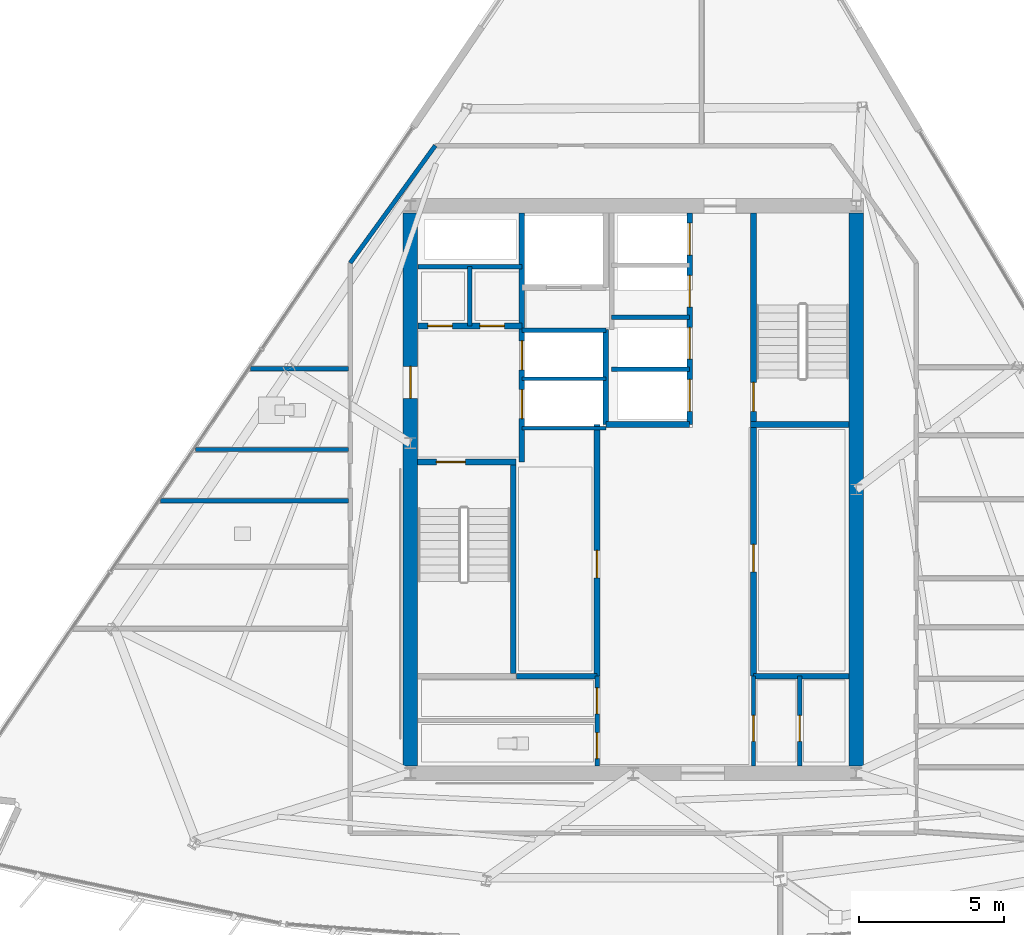
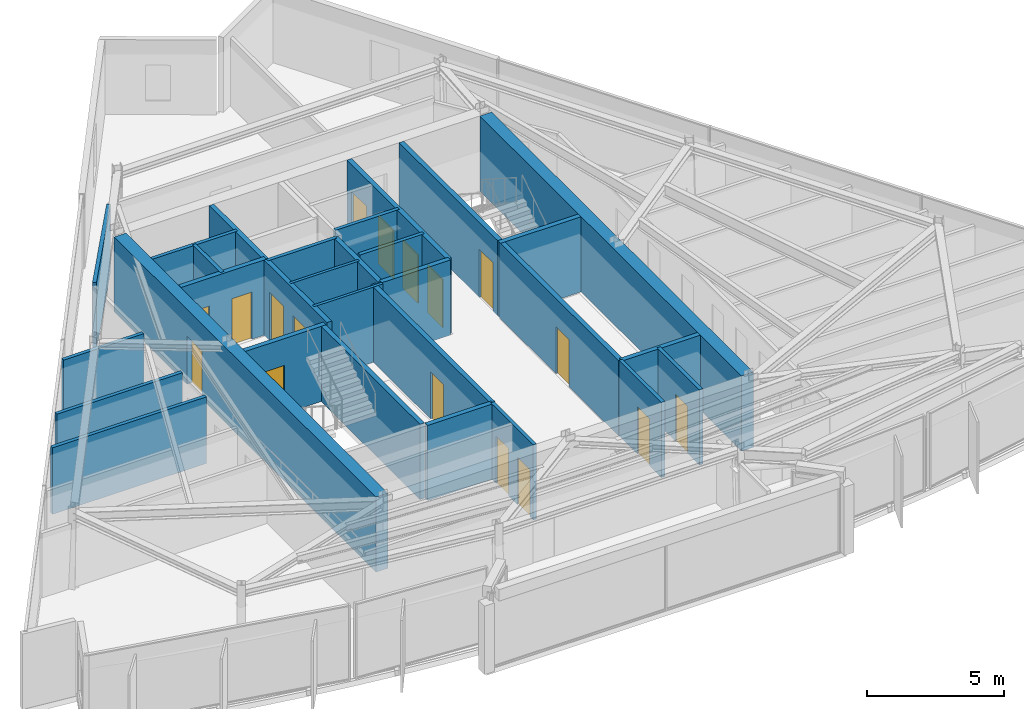
# One storey, part 7 of 13: 29 walls, 17 doors, 17 openings.
"""IFC4 building model written with IfcOpenShell, lengths in metres."""

from ifc_helpers import new_model, si_unit, direction, frame, frame_2d, origin, place, context, subcontext, project, spatial, rectangle, extrude, material, layer, layer_set, type_object, element, fill, save


model = new_model("IFC4")

# Units and contexts
model_context = context("Model", 3, precision=1e-05, world=origin(), true_north=direction((0.0, 1.0)))
body_context = subcontext(model_context, "Body", "Model", "MODEL_VIEW")
ifc_project = project(units=[si_unit("LENGTHUNIT", "METRE"), si_unit("AREAUNIT", "SQUARE_METRE"), si_unit("VOLUMEUNIT", "CUBIC_METRE"), si_unit("PLANEANGLEUNIT", "RADIAN"), si_unit("MASSUNIT", "GRAM", prefix="KILO")], contexts=[model_context])

# Site, building, storey
site_placement = place(None, origin())
site = spatial("IfcSite", under=ifc_project, at=site_placement, CompositionType="ELEMENT")
building_placement = place(site_placement, origin())
building = spatial("IfcBuilding", under=site, at=building_placement, Name="Savorim Split Tower", CompositionType="ELEMENT")
storey_placement = place(building_placement, frame((0.0, 0.0, 286.800048828125)))
storey = spatial("IfcBuildingStorey", under=building, at=storey_placement, Name="L76", CompositionType="ELEMENT", Elevation=286.800048828125)

# Wall, opening, door
ifc_material_1 = material(Name="Concrete C60/75", Category="concrete")
ifc_layer_1 = layer(ifc_material_1, 0.5)
ifc_layer_set_1 = layer_set([ifc_layer_1], Name="WAL-COR-SH500")
wall_type_1 = type_object("IfcWallType", Name="WAL-COR-SH500", PredefinedType="SHEAR", material=ifc_layer_set_1)
wall_1_placement = place(storey_placement, frame((-7.699951171875, -9.14990234375, 0.0), z_axis=(0.0, 0.0, 1.0), x_axis=(0.0, 1.0, 0.0)))
wall_1 = element("IfcWall", 1, at=wall_1_placement, inside=storey, type_object=wall_type_1, Name="L76 Offset Core West Shear Wall", PredefinedType="SHEAR", context=body_context, shape_type="SweptSolid", body=[
    extrude(rectangle(XDim=19.099853515625, YDim=0.5, at=frame_2d((9.5498046875, 0.0))), origin(), (0.0, 0.0, 1.0), 3.349853515625),
])
opening_1_placement = place(wall_1_placement, frame((12.699951171875, 0.0, 0.0)))
opening_1 = element("IfcOpeningElement", 2, at=opening_1_placement, cuts=wall_1, Name="Opening DI-03", PredefinedType="OPENING", context=body_context, shape_type="SweptSolid", body=[
    extrude(rectangle(XDim=1.10009765625, YDim=2.14990234375, at=frame_2d((0.550048828125, 1.074951171875))), frame((0.0, 0.260009765625, 0.0), z_axis=(0.0, -1.0, 0.0), x_axis=(1.0, 0.0, 0.0)), (0.0, 0.0, 1.0), 0.52001953125),
])
ifc_material_2 = material(Name="Timber Fire Door Leaf", Category="wood")
door_type_1 = type_object("IfcDoorType", Name="DOR-FIR-1100", OperationType="NOTDEFINED", PredefinedType="DOOR", material=ifc_material_2)
door_1_placement = place(opening_1_placement, origin())
door_1 = element("IfcDoor", 3, at=door_1_placement, inside=storey, type_object=door_type_1, Name="DOR-L76-COR-FFLOB - L76 Firefighting Lobby Corridor Door", OperationType="SINGLE_SWING_RIGHT", OverallHeight=2.14990234375, OverallWidth=1.10009765625, PredefinedType="DOOR", context=body_context, shape_type="SweptSolid", body=[
    extrude(rectangle(XDim=1.10009765625, YDim=2.14990234375, at=frame_2d((0.550048828125, 1.074951171875))), frame((0.0, 0.02490234375, 0.0), z_axis=(0.0, -1.0, 0.0), x_axis=(1.0, 0.0, 0.0)), (0.0, 0.0, 1.0), 0.050048828125),
])
fill(opening_1, door_1)

# Wall
wall_2_placement = place(storey_placement, frame((7.699951171875, 9.949951171875, 0.0), z_axis=(0.0, 0.0, 1.0), x_axis=(0.0, -1.0, 0.0)))
element("IfcWall", 4, at=wall_2_placement, inside=storey, type_object=wall_type_1, Name="L76 Offset Core East Shear Wall", PredefinedType="SHEAR", context=body_context, shape_type="SweptSolid", body=[
    extrude(rectangle(XDim=19.099853515625, YDim=0.5, at=frame_2d((9.5498046875, 0.0))), origin(), (0.0, 0.0, 1.0), 3.349853515625),
])

# Wall, opening, door
ifc_material_3 = material(Name="Concrete C50/60", Category="concrete")
ifc_layer_2 = layer(ifc_material_3, 0.199951171875)
ifc_layer_set_2 = layer_set([ifc_layer_2], Name="WAL-INT-RC200")
wall_type_2 = type_object("IfcWallType", Name="WAL-INT-RC200", PredefinedType="SOLIDWALL", material=ifc_layer_set_2)
wall_3_placement = place(storey_placement, frame((-7.449951171875, 1.35009765625, 0.0), z_axis=(0.0, 0.0, 1.0), x_axis=(1.0, 0.0, 0.0)))
wall_3 = element("IfcWall", 5, at=wall_3_placement, inside=storey, type_object=wall_type_2, Name="L76 Structural Shaft Wall W-L76-CR01", PredefinedType="SOLIDWALL", context=body_context, shape_type="SweptSolid", body=[
    extrude(rectangle(XDim=3.39990234375, YDim=0.199951171875, at=frame_2d((1.699951171875, 0.0))), origin(), (0.0, 0.0, 1.0), 3.349853515625),
])
opening_2_placement = place(wall_3_placement, frame((0.64990234375, 0.0, 0.0)))
opening_2 = element("IfcOpeningElement", 6, at=opening_2_placement, cuts=wall_3, Name="Opening DI-04", PredefinedType="OPENING", context=body_context, shape_type="SweptSolid", body=[
    extrude(rectangle(XDim=1.0, YDim=2.14990234375, at=frame_2d((0.5, 1.074951171875))), frame((0.0, 0.10986328125, 0.0), z_axis=(0.0, -1.0, 0.0), x_axis=(1.0, 0.0, 0.0)), (0.0, 0.0, 1.0), 0.219970703125),
])
door_type_2 = type_object("IfcDoorType", Name="DOR-FIR-1000", OperationType="NOTDEFINED", PredefinedType="DOOR", material=ifc_material_2)
door_2_placement = place(opening_2_placement, origin())
door_2 = element("IfcDoor", 7, at=door_2_placement, inside=storey, type_object=door_type_2, Name="DR-L76-ST1 - L76 Stair ST-1 Enclosure Door", OperationType="SINGLE_SWING_LEFT", OverallHeight=2.14990234375, OverallWidth=1.0, PredefinedType="DOOR", context=body_context, shape_type="SweptSolid", body=[
    extrude(rectangle(XDim=1.0, YDim=2.14990234375, at=frame_2d((0.5, 1.074951171875))), frame((0.0, 0.02490234375, 0.0), z_axis=(0.0, -1.0, 0.0), x_axis=(1.0, 0.0, 0.0)), (0.0, 0.0, 1.0), 0.050048828125),
])
fill(opening_2, door_2)

# Wall
wall_4_placement = place(storey_placement, frame((-4.14990234375, -5.949951171875, 0.0), z_axis=(0.0, 0.0, 1.0), x_axis=(0.0, 1.0, 0.0)))
element("IfcWall", 8, at=wall_4_placement, inside=storey, type_object=wall_type_2, Name="L76 Structural Shaft Wall W-L76-CR02", PredefinedType="SOLIDWALL", context=body_context, shape_type="SweptSolid", body=[
    extrude(rectangle(XDim=7.199951171875, YDim=0.199951171875, at=frame_2d((3.60009765625, 0.0))), origin(), (0.0, 0.0, 1.0), 3.349853515625),
])

# Wall, openings, doors
wall_5_placement = place(storey_placement, frame((-3.85009765625, 1.35009765625, 0.0), z_axis=(0.0, 0.0, 1.0), x_axis=(0.0, 1.0, 0.0)))
wall_5 = element("IfcWall", 9, at=wall_5_placement, inside=storey, type_object=wall_type_2, Name="L76 Partition W-L76-CR03", PredefinedType="SOLIDWALL", context=body_context, shape_type="SweptSolid", body=[
    extrude(rectangle(XDim=8.594970703125, YDim=0.199951171875, at=frame_2d((4.29736328125, 0.0))), origin(), (0.0, 0.0, 1.0), 3.349853515625),
])
opening_3_placement = place(wall_5_placement, frame((1.5, 0.0, 0.0)))
opening_3 = element("IfcOpeningElement", 10, at=opening_3_placement, cuts=wall_5, Name="Opening LD-FFL", PredefinedType="OPENING", context=body_context, shape_type="SweptSolid", body=[
    extrude(rectangle(XDim=1.0, YDim=2.14990234375, at=frame_2d((0.5, 1.074951171875))), frame((0.0, 0.10986328125, 0.0), z_axis=(0.0, -1.0, 0.0), x_axis=(1.0, 0.0, 0.0)), (0.0, 0.0, 1.0), 0.219970703125),
])
opening_4_placement = place(wall_5_placement, frame((3.179931640625, 0.0, 0.0)))
opening_4 = element("IfcOpeningElement", 11, at=opening_4_placement, cuts=wall_5, Name="Opening LD-FFL", PredefinedType="OPENING", context=body_context, shape_type="SweptSolid", body=[
    extrude(rectangle(XDim=1.0, YDim=2.14990234375, at=frame_2d((0.5, 1.074951171875))), frame((0.0, 0.10986328125, 0.0), z_axis=(0.0, -1.0, 0.0), x_axis=(1.0, 0.0, 0.0)), (0.0, 0.0, 1.0), 0.219970703125),
])
ifc_material_4 = material(Name="Charcoal Anodised Aluminium", Category="aluminium")
door_type_3 = type_object("IfcDoorType", Name="DOR-SLD-LD1000", OperationType="NOTDEFINED", PredefinedType="DOOR", material=ifc_material_4)
door_3_placement = place(opening_3_placement, origin())
door_3 = element("IfcDoor", 12, at=door_3_placement, inside=storey, type_object=door_type_3, Name="DR-L76-LD-FFL1 - L76 Firefighting Lift FFL-1 Sliding Landing Door", OperationType="DOUBLE_DOOR_SLIDING", OverallHeight=2.14990234375, OverallWidth=1.0, PredefinedType="DOOR", context=body_context, shape_type="SweptSolid", body=[
    extrude(rectangle(XDim=1.0, YDim=2.14990234375, at=frame_2d((0.5, 1.074951171875))), frame((0.0, 0.02490234375, 0.0), z_axis=(0.0, -1.0, 0.0), x_axis=(1.0, 0.0, 0.0)), (0.0, 0.0, 1.0), 0.050048828125),
])
fill(opening_3, door_3)
door_4_placement = place(opening_4_placement, origin())
door_4 = element("IfcDoor", 13, at=door_4_placement, inside=storey, type_object=door_type_3, Name="DR-L76-LD-FFL2 - L76 Firefighting Lift FFL-2 Sliding Landing Door", OperationType="DOUBLE_DOOR_SLIDING", OverallHeight=2.14990234375, OverallWidth=1.0, PredefinedType="DOOR", context=body_context, shape_type="SweptSolid", body=[
    extrude(rectangle(XDim=1.0, YDim=2.14990234375, at=frame_2d((0.5, 1.074951171875))), frame((0.0, 0.02490234375, 0.0), z_axis=(0.0, -1.0, 0.0), x_axis=(1.0, 0.0, 0.0)), (0.0, 0.0, 1.0), 0.050048828125),
])
fill(opening_4, door_4)

wall_6_placement = place(storey_placement, frame((-7.445068359375, 6.050048828125, 0.0), z_axis=(0.0, 0.0, 1.0), x_axis=(1.0, 0.0, 0.0)))
wall_6 = element("IfcWall", 14, at=wall_6_placement, inside=storey, type_object=wall_type_2, Name="L76 Partition W-L76-CR04", PredefinedType="SOLIDWALL", context=body_context, shape_type="SweptSolid", body=[
    extrude(rectangle(XDim=3.594970703125, YDim=0.199951171875, at=frame_2d((1.79736328125, 0.0))), origin(), (0.0, 0.0, 1.0), 3.349853515625),
])
opening_5_placement = place(wall_6_placement, frame((0.344970703125, 0.0, 0.0)))
opening_5 = element("IfcOpeningElement", 15, at=opening_5_placement, cuts=wall_6, Name="Opening DI-12", PredefinedType="OPENING", context=body_context, shape_type="SweptSolid", body=[
    extrude(rectangle(XDim=0.85009765625, YDim=2.10009765625, at=frame_2d((0.425048828125, 1.050048828125))), frame((0.0, 0.10986328125, 0.0), z_axis=(0.0, -1.0, 0.0), x_axis=(1.0, 0.0, 0.0)), (0.0, 0.0, 1.0), 0.219970703125),
])
opening_6_placement = place(wall_6_placement, frame((2.14501953125, 0.0, 0.0)))
opening_6 = element("IfcOpeningElement", 16, at=opening_6_placement, cuts=wall_6, Name="Opening DI-12", PredefinedType="OPENING", context=body_context, shape_type="SweptSolid", body=[
    extrude(rectangle(XDim=0.85009765625, YDim=2.10009765625, at=frame_2d((0.425048828125, 1.050048828125))), frame((0.0, 0.10986328125, 0.0), z_axis=(0.0, -1.0, 0.0), x_axis=(1.0, 0.0, 0.0)), (0.0, 0.0, 1.0), 0.219970703125),
])
ifc_material_5 = material(Name="Galvanised Painted Steel Balustrade", Category="steel")
door_type_4 = type_object("IfcDoorType", Name="DOR-RIS-850", OperationType="NOTDEFINED", PredefinedType="DOOR", material=ifc_material_5)
door_5_placement = place(opening_5_placement, origin())
door_5 = element("IfcDoor", 17, at=door_5_placement, inside=storey, type_object=door_type_4, Name="DR-L76-ELR - L76 Electrical Riser Access Door", OperationType="SINGLE_SWING_RIGHT", OverallHeight=2.10009765625, OverallWidth=0.85009765625, PredefinedType="DOOR", context=body_context, shape_type="SweptSolid", body=[
    extrude(rectangle(XDim=0.85009765625, YDim=2.10009765625, at=frame_2d((0.425048828125, 1.050048828125))), frame((0.0, 0.02490234375, 0.0), z_axis=(0.0, -1.0, 0.0), x_axis=(1.0, 0.0, 0.0)), (0.0, 0.0, 1.0), 0.050048828125),
])
fill(opening_5, door_5)
door_6_placement = place(opening_6_placement, origin())
door_6 = element("IfcDoor", 18, at=door_6_placement, inside=storey, type_object=door_type_4, Name="DR-L76-TLR - L76 Telecom Riser Access Door", OperationType="SINGLE_SWING_LEFT", OverallHeight=2.10009765625, OverallWidth=0.85009765625, PredefinedType="DOOR", context=body_context, shape_type="SweptSolid", body=[
    extrude(rectangle(XDim=0.85009765625, YDim=2.10009765625, at=frame_2d((0.425048828125, 1.050048828125))), frame((0.0, 0.02490234375, 0.0), z_axis=(0.0, -1.0, 0.0), x_axis=(1.0, 0.0, 0.0)), (0.0, 0.0, 1.0), 0.050048828125),
])
fill(opening_6, door_6)

# Wall, opening, door
wall_7_placement = place(storey_placement, frame((4.14990234375, 2.75, 0.0), z_axis=(0.0, 0.0, 1.0), x_axis=(0.0, 1.0, 0.0)))
wall_7 = element("IfcWall", 19, at=wall_7_placement, inside=storey, type_object=wall_type_2, Name="L76 Structural Shaft Wall W-L76-CR07", PredefinedType="SOLIDWALL", context=body_context, shape_type="SweptSolid", body=[
    extrude(rectangle(XDim=7.199951171875, YDim=0.199951171875, at=frame_2d((3.60009765625, 0.0))), origin(), (0.0, 0.0, 1.0), 3.349853515625),
])
opening_7_placement = place(wall_7_placement, frame((0.35009765625, 0.0, 0.0)))
opening_7 = element("IfcOpeningElement", 20, at=opening_7_placement, cuts=wall_7, Name="Opening DI-04", PredefinedType="OPENING", context=body_context, shape_type="SweptSolid", body=[
    extrude(rectangle(XDim=1.0, YDim=2.14990234375, at=frame_2d((0.5, 1.074951171875))), frame((0.0, 0.10986328125, 0.0), z_axis=(0.0, -1.0, 0.0), x_axis=(1.0, 0.0, 0.0)), (0.0, 0.0, 1.0), 0.219970703125),
])
door_7_placement = place(opening_7_placement, origin())
door_7 = element("IfcDoor", 21, at=door_7_placement, inside=storey, type_object=door_type_2, Name="DR-L76-ST2 - L76 Stair ST-2 Enclosure Door", OperationType="SINGLE_SWING_RIGHT", OverallHeight=2.14990234375, OverallWidth=1.0, PredefinedType="DOOR", context=body_context, shape_type="SweptSolid", body=[
    extrude(rectangle(XDim=1.0, YDim=2.14990234375, at=frame_2d((0.5, 1.074951171875))), frame((0.0, 0.02490234375, 0.0), z_axis=(0.0, -1.0, 0.0), x_axis=(1.0, 0.0, 0.0)), (0.0, 0.0, 1.0), 0.050048828125),
])
fill(opening_7, door_7)

# Walls
wall_8_placement = place(storey_placement, frame((4.050048828125, 2.64990234375, 0.0), z_axis=(0.0, 0.0, 1.0), x_axis=(1.0, 0.0, 0.0)))
element("IfcWall", 22, at=wall_8_placement, inside=storey, type_object=wall_type_2, Name="L76 Structural Shaft Wall W-L76-CR08", PredefinedType="SOLIDWALL", context=body_context, shape_type="SweptSolid", body=[
    extrude(rectangle(XDim=3.39990234375, YDim=0.199951171875, at=frame_2d((1.699951171875, 0.0))), origin(), (0.0, 0.0, 1.0), 3.349853515625),
])
wall_9_placement = place(storey_placement, frame((-0.949951171875, 2.64990234375, 0.0), z_axis=(0.0, 0.0, 1.0), x_axis=(0.0, 1.0, 0.0)))
element("IfcWall", 23, at=wall_9_placement, inside=storey, type_object=wall_type_2, Name="L76 Partition W-L76-FFLW", PredefinedType="SOLIDWALL", context=body_context, shape_type="SweptSolid", body=[
    extrude(rectangle(XDim=3.27001953125, YDim=0.199951171875, at=frame_2d((1.635009765625, 0.0))), origin(), (0.0, 0.0, 1.0), 3.349853515625),
])

# Wall, opening, door
wall_10_placement = place(storey_placement, frame((4.14990234375, -6.050048828125, 0.0), z_axis=(0.0, 0.0, 1.0), x_axis=(0.0, 1.0, 0.0)))
wall_10 = element("IfcWall", 24, at=wall_10_placement, inside=storey, type_object=wall_type_2, Name="L76 Partition W-L76-B1FRONT", PredefinedType="SOLIDWALL", context=body_context, shape_type="SweptSolid", body=[
    extrude(rectangle(XDim=8.699951171875, YDim=0.199951171875, at=frame_2d((4.35009765625, 0.0))), origin(), (0.0, 0.0, 1.0), 3.349853515625),
])
opening_8_placement = place(wall_10_placement, frame((3.60009765625, 0.0, 0.0)))
opening_8 = element("IfcOpeningElement", 25, at=opening_8_placement, cuts=wall_10, Name="Opening DI-05", PredefinedType="OPENING", context=body_context, shape_type="SweptSolid", body=[
    extrude(rectangle(XDim=0.949951171875, YDim=2.10009765625, at=frame_2d((0.47509765625, 1.050048828125))), frame((0.0, 0.10986328125, 0.0), z_axis=(0.0, -1.0, 0.0), x_axis=(1.0, 0.0, 0.0)), (0.0, 0.0, 1.0), 0.219970703125),
])
door_type_5 = type_object("IfcDoorType", Name="DOR-FIR-950", OperationType="NOTDEFINED", PredefinedType="DOOR", material=ifc_material_2)
door_8_placement = place(opening_8_placement, origin())
door_8 = element("IfcDoor", 26, at=door_8_placement, inside=storey, type_object=door_type_5, Name="DR-L76-LV7B1 - L76 Shared Pantry and Linen Room Door", OperationType="SINGLE_SWING_RIGHT", OverallHeight=2.10009765625, OverallWidth=0.949951171875, PredefinedType="DOOR", context=body_context, shape_type="SweptSolid", body=[
    extrude(rectangle(XDim=0.949951171875, YDim=2.10009765625, at=frame_2d((0.47509765625, 1.050048828125))), frame((0.0, 0.02490234375, 0.0), z_axis=(0.0, -1.0, 0.0), x_axis=(1.0, 0.0, 0.0)), (0.0, 0.0, 1.0), 0.050048828125),
])
fill(opening_8, door_8)

wall_11_placement = place(storey_placement, frame((-1.25, -6.050048828125, 0.0), z_axis=(0.0, 0.0, 1.0), x_axis=(0.0, 1.0, 0.0)))
wall_11 = element("IfcWall", 27, at=wall_11_placement, inside=storey, type_object=wall_type_2, Name="L76 Partition W-L76-B2FRONT", PredefinedType="SOLIDWALL", context=body_context, shape_type="SweptSolid", body=[
    extrude(rectangle(XDim=8.699951171875, YDim=0.199951171875, at=frame_2d((4.35009765625, 0.0))), origin(), (0.0, 0.0, 1.0), 3.349853515625),
])
opening_9_placement = place(wall_11_placement, frame((3.39990234375, 0.0, 0.0)))
opening_9 = element("IfcOpeningElement", 28, at=opening_9_placement, cuts=wall_11, Name="Opening DI-05", PredefinedType="OPENING", context=body_context, shape_type="SweptSolid", body=[
    extrude(rectangle(XDim=0.949951171875, YDim=2.10009765625, at=frame_2d((0.47509765625, 1.050048828125))), frame((0.0, 0.10986328125, 0.0), z_axis=(0.0, -1.0, 0.0), x_axis=(1.0, 0.0, 0.0)), (0.0, 0.0, 1.0), 0.219970703125),
])
door_9_placement = place(opening_9_placement, origin())
door_9 = element("IfcDoor", 29, at=door_9_placement, inside=storey, type_object=door_type_5, Name="DR-L76-LV7B2 - L76 Housekeeping and Parcel Room Door", OperationType="SINGLE_SWING_LEFT", OverallHeight=2.10009765625, OverallWidth=0.949951171875, PredefinedType="DOOR", context=body_context, shape_type="SweptSolid", body=[
    extrude(rectangle(XDim=0.949951171875, YDim=2.10009765625, at=frame_2d((0.47509765625, 1.050048828125))), frame((0.0, 0.02490234375, 0.0), z_axis=(0.0, -1.0, 0.0), x_axis=(1.0, 0.0, 0.0)), (0.0, 0.0, 1.0), 0.050048828125),
])
fill(opening_9, door_9)

# Wall, openings, doors
wall_12_placement = place(storey_placement, frame((1.949951171875, 2.64990234375, 0.0), z_axis=(0.0, 0.0, 1.0), x_axis=(0.0, 1.0, 0.0)))
wall_12 = element("IfcWall", 30, at=wall_12_placement, inside=storey, type_object=wall_type_2, Name="L76 Partition W-L76-B3FRONT", PredefinedType="SOLIDWALL", context=body_context, shape_type="SweptSolid", body=[
    extrude(rectangle(XDim=7.295166015625, YDim=0.199951171875, at=frame_2d((3.6474609375, 0.0))), origin(), (0.0, 0.0, 1.0), 3.349853515625),
])
opening_10_placement = place(wall_12_placement, frame((0.449951171875, 0.0, 0.0)))
opening_10 = element("IfcOpeningElement", 31, at=opening_10_placement, cuts=wall_12, Name="Opening LD-03", PredefinedType="OPENING", context=body_context, shape_type="SweptSolid", body=[
    extrude(rectangle(XDim=1.10009765625, YDim=2.14990234375, at=frame_2d((0.550048828125, 1.074951171875))), frame((0.0, 0.10986328125, 0.0), z_axis=(0.0, -1.0, 0.0), x_axis=(1.0, 0.0, 0.0)), (0.0, 0.0, 1.0), 0.219970703125),
])
opening_11_placement = place(wall_12_placement, frame((2.25, 0.0, 0.0)))
opening_11 = element("IfcOpeningElement", 32, at=opening_11_placement, cuts=wall_12, Name="Opening LD-03", PredefinedType="OPENING", context=body_context, shape_type="SweptSolid", body=[
    extrude(rectangle(XDim=1.10009765625, YDim=2.14990234375, at=frame_2d((0.550048828125, 1.074951171875))), frame((0.0, 0.10986328125, 0.0), z_axis=(0.0, -1.0, 0.0), x_axis=(1.0, 0.0, 0.0)), (0.0, 0.0, 1.0), 0.219970703125),
])
opening_12_placement = place(wall_12_placement, frame((4.050048828125, 0.0, 0.0)))
opening_12 = element("IfcOpeningElement", 33, at=opening_12_placement, cuts=wall_12, Name="Opening LD-03", PredefinedType="OPENING", context=body_context, shape_type="SweptSolid", body=[
    extrude(rectangle(XDim=1.10009765625, YDim=2.14990234375, at=frame_2d((0.550048828125, 1.074951171875))), frame((0.0, 0.10986328125, 0.0), z_axis=(0.0, -1.0, 0.0), x_axis=(1.0, 0.0, 0.0)), (0.0, 0.0, 1.0), 0.219970703125),
])
opening_13_placement = place(wall_12_placement, frame((5.85009765625, 0.0, 0.0)))
opening_13 = element("IfcOpeningElement", 34, at=opening_13_placement, cuts=wall_12, Name="Opening LD-03", PredefinedType="OPENING", context=body_context, shape_type="SweptSolid", body=[
    extrude(rectangle(XDim=1.10009765625, YDim=2.14990234375, at=frame_2d((0.550048828125, 1.074951171875))), frame((0.0, 0.10986328125, 0.0), z_axis=(0.0, -1.0, 0.0), x_axis=(1.0, 0.0, 0.0)), (0.0, 0.0, 1.0), 0.219970703125),
])
door_type_6 = type_object("IfcDoorType", Name="DOR-SLD-LDH1100", OperationType="NOTDEFINED", PredefinedType="DOOR", material=ifc_material_4)
door_10_placement = place(opening_10_placement, origin())
door_10 = element("IfcDoor", 35, at=door_10_placement, inside=storey, type_object=door_type_6, Name="DR-L76-LD-PLH1 - L76 Lift PL-H1 Sliding Landing Door", OperationType="DOUBLE_DOOR_SLIDING", OverallHeight=2.14990234375, OverallWidth=1.10009765625, PredefinedType="DOOR", context=body_context, shape_type="SweptSolid", body=[
    extrude(rectangle(XDim=1.10009765625, YDim=2.14990234375, at=frame_2d((0.550048828125, 1.074951171875))), frame((0.0, 0.02490234375, 0.0), z_axis=(0.0, -1.0, 0.0), x_axis=(1.0, 0.0, 0.0)), (0.0, 0.0, 1.0), 0.050048828125),
])
fill(opening_10, door_10)
door_11_placement = place(opening_11_placement, origin())
door_11 = element("IfcDoor", 36, at=door_11_placement, inside=storey, type_object=door_type_6, Name="DR-L76-LD-PLH2 - L76 Lift PL-H2 Sliding Landing Door", OperationType="DOUBLE_DOOR_SLIDING", OverallHeight=2.14990234375, OverallWidth=1.10009765625, PredefinedType="DOOR", context=body_context, shape_type="SweptSolid", body=[
    extrude(rectangle(XDim=1.10009765625, YDim=2.14990234375, at=frame_2d((0.550048828125, 1.074951171875))), frame((0.0, 0.02490234375, 0.0), z_axis=(0.0, -1.0, 0.0), x_axis=(1.0, 0.0, 0.0)), (0.0, 0.0, 1.0), 0.050048828125),
])
fill(opening_11, door_11)
door_12_placement = place(opening_12_placement, origin())
door_12 = element("IfcDoor", 37, at=door_12_placement, inside=storey, type_object=door_type_6, Name="DR-L76-LD-PLH3 - L76 Lift PL-H3 Sliding Landing Door", OperationType="DOUBLE_DOOR_SLIDING", OverallHeight=2.14990234375, OverallWidth=1.10009765625, PredefinedType="DOOR", context=body_context, shape_type="SweptSolid", body=[
    extrude(rectangle(XDim=1.10009765625, YDim=2.14990234375, at=frame_2d((0.550048828125, 1.074951171875))), frame((0.0, 0.02490234375, 0.0), z_axis=(0.0, -1.0, 0.0), x_axis=(1.0, 0.0, 0.0)), (0.0, 0.0, 1.0), 0.050048828125),
])
fill(opening_12, door_12)
door_13_placement = place(opening_13_placement, origin())
door_13 = element("IfcDoor", 38, at=door_13_placement, inside=storey, type_object=door_type_6, Name="DR-L76-LD-PLH4 - L76 Lift PL-H4 Sliding Landing Door", OperationType="DOUBLE_DOOR_SLIDING", OverallHeight=2.14990234375, OverallWidth=1.10009765625, PredefinedType="DOOR", context=body_context, shape_type="SweptSolid", body=[
    extrude(rectangle(XDim=1.10009765625, YDim=2.14990234375, at=frame_2d((0.550048828125, 1.074951171875))), frame((0.0, 0.02490234375, 0.0), z_axis=(0.0, -1.0, 0.0), x_axis=(1.0, 0.0, 0.0)), (0.0, 0.0, 1.0), 0.050048828125),
])
fill(opening_13, door_13)

# Walls
wall_13_placement = place(storey_placement, frame((-0.949951171875, 2.64990234375, 0.0), z_axis=(0.0, 0.0, 1.0), x_axis=(1.0, 0.0, 0.0)))
element("IfcWall", 39, at=wall_13_placement, inside=storey, type_object=wall_type_2, Name="L76 Partition W-L76-B3SOUTH", PredefinedType="SOLIDWALL", context=body_context, shape_type="SweptSolid", body=[
    extrude(rectangle(XDim=2.89990234375, YDim=0.199951171875, at=frame_2d((1.449951171875, 0.0))), origin(), (0.0, 0.0, 1.0), 3.349853515625),
])
wall_14_placement = place(storey_placement, frame((-4.0400390625, -6.050048828125, 0.0), z_axis=(0.0, 0.0, 1.0), x_axis=(1.0, 0.0, 0.0)))
element("IfcWall", 40, at=wall_14_placement, inside=storey, type_object=wall_type_2, Name="L76 Partition W-L76-KSEP-W2", PredefinedType="SOLIDWALL", context=body_context, shape_type="SweptSolid", body=[
    extrude(rectangle(XDim=2.7900390625, YDim=0.199951171875, at=frame_2d((1.39501953125, 0.0))), origin(), (0.0, 0.0, 1.0), 3.349853515625),
])
wall_15_placement = place(storey_placement, frame((4.14990234375, -6.050048828125, 0.0), z_axis=(0.0, 0.0, 1.0), x_axis=(1.0, 0.0, 0.0)))
element("IfcWall", 41, at=wall_15_placement, inside=storey, type_object=wall_type_2, Name="L76 Partition W-L76-KSEP-E", PredefinedType="SOLIDWALL", context=body_context, shape_type="SweptSolid", body=[
    extrude(rectangle(XDim=3.295166015625, YDim=0.199951171875, at=frame_2d((1.6474609375, 0.0))), origin(), (0.0, 0.0, 1.0), 3.349853515625),
])
ifc_material_6 = material(Name="Acoustic Gypsum Partition Board")
ifc_layer_3 = layer(ifc_material_6, 0.1201171875)
ifc_layer_set_3 = layer_set([ifc_layer_3], Name="WAL-PAR-120")
wall_type_3 = type_object("IfcWallType", Name="WAL-PAR-120", PredefinedType="PARTITIONING", material=ifc_layer_set_3)
for number, where, z_axis, x_axis, name in (
    (42, (-3.85009765625, 2.52001953125, 0.0), (0.0, 0.0, 1.0), (1.0, 0.0, 0.0), "L76 Partition W-L76-FFLD0"),
    (43, (-3.85009765625, 4.219970703125, 0.0), (0.0, 0.0, 1.0), (1.0, 0.0, 0.0), "L76 Partition W-L76-FFLD1"),
):
    element("IfcWall", number, at=place(storey_placement, frame(where, z_axis=z_axis, x_axis=x_axis)), inside=storey, type_object=wall_type_3, Name=name, PredefinedType="PARTITIONING", context=body_context, shape_type="SweptSolid", body=[
        extrude(rectangle(XDim=2.900146484375, YDim=0.1201171875, at=frame_2d((1.4501953125, 0.0))), origin(), (0.0, 0.0, 1.0), 3.349853515625),
    ])
ifc_layer_4 = layer(ifc_material_6, 0.14990234375)
ifc_layer_set_4 = layer_set([ifc_layer_4], Name="WAL-PAR-150")
wall_type_4 = type_object("IfcWallType", Name="WAL-PAR-150", PredefinedType="PARTITIONING", material=ifc_layer_set_4)
wall_16_placement = place(storey_placement, frame((-7.445068359375, 8.10009765625, 0.0), z_axis=(0.0, 0.0, 1.0), x_axis=(1.0, 0.0, 0.0)))
element("IfcWall", 44, at=wall_16_placement, inside=storey, type_object=wall_type_4, Name="L76 Partition W-L76-CR05", PredefinedType="PARTITIONING", context=body_context, shape_type="SweptSolid", body=[
    extrude(rectangle(XDim=3.594970703125, YDim=0.14990234375, at=frame_2d((1.79736328125, 0.0))), origin(), (0.0, 0.0, 1.0), 3.349853515625),
])
wall_17_placement = place(storey_placement, frame((-5.64990234375, 6.050048828125, 0.0), z_axis=(0.0, 0.0, 1.0), x_axis=(0.0, 1.0, 0.0)))
element("IfcWall", 45, at=wall_17_placement, inside=storey, type_object=wall_type_4, Name="L76 Partition W-L76-CR06", PredefinedType="PARTITIONING", context=body_context, shape_type="SweptSolid", body=[
    extrude(rectangle(XDim=2.050048828125, YDim=0.14990234375, at=frame_2d((1.02490234375, 0.0))), origin(), (0.0, 0.0, 1.0), 3.349853515625),
])
wall_18_placement = place(storey_placement, frame((-3.85009765625, 5.89990234375, 0.0), z_axis=(0.0, 0.0, 1.0), x_axis=(1.0, 0.0, 0.0)))
element("IfcWall", 46, at=wall_18_placement, inside=storey, type_object=wall_type_4, Name="L76 Partition W-L76-FFLD2", PredefinedType="PARTITIONING", context=body_context, shape_type="SweptSolid", body=[
    extrude(rectangle(XDim=2.900146484375, YDim=0.14990234375, at=frame_2d((1.4501953125, 0.0))), origin(), (0.0, 0.0, 1.0), 3.349853515625),
])
for number, where, z_axis, x_axis, name in (
    (47, (-0.75, 4.550048828125, 0.0), (0.0, 0.0, 1.0), (1.0, 0.0, 0.0), "L76 Partition W-L76-B3DIV1"),
    (48, (-0.75, 6.35009765625, 0.0), (0.0, 0.0, 1.0), (1.0, 0.0, 0.0), "L76 Partition W-L76-B3DIV2"),
):
    element("IfcWall", number, at=place(storey_placement, frame(where, z_axis=z_axis, x_axis=x_axis)), inside=storey, type_object=wall_type_4, Name=name, PredefinedType="PARTITIONING", context=body_context, shape_type="SweptSolid", body=[
        extrude(rectangle(XDim=2.699951171875, YDim=0.14990234375, at=frame_2d((1.35009765625, 0.0))), origin(), (0.0, 0.0, 1.0), 3.349853515625),
    ])

# Wall, openings, doors
wall_19_placement = place(storey_placement, frame((-1.25, -9.14501953125, 0.0), z_axis=(0.0, 0.0, 1.0), x_axis=(0.0, 1.0, 0.0)))
wall_19 = element("IfcWall", 49, at=wall_19_placement, inside=storey, type_object=wall_type_4, Name="L76 Partition W-L76-KLOB-W", PredefinedType="PARTITIONING", context=body_context, shape_type="SweptSolid", body=[
    extrude(rectangle(XDim=3.094970703125, YDim=0.14990234375, at=frame_2d((1.54736328125, 0.0))), origin(), (0.0, 0.0, 1.0), 3.349853515625),
])
opening_14_placement = place(wall_19_placement, frame((1.794921875, 0.0, 0.0)))
opening_14 = element("IfcOpeningElement", 50, at=opening_14_placement, cuts=wall_19, Name="Opening DI-06", PredefinedType="OPENING", context=body_context, shape_type="SweptSolid", body=[
    extrude(rectangle(XDim=0.89990234375, YDim=2.10009765625, at=frame_2d((0.449951171875, 1.050048828125))), frame((0.0, 0.0849609375, 0.0), z_axis=(0.0, -1.0, 0.0), x_axis=(1.0, 0.0, 0.0)), (0.0, 0.0, 1.0), 0.169921875),
])
opening_15_placement = place(wall_19_placement, frame((0.2451171875, 0.0, 0.0)))
opening_15 = element("IfcOpeningElement", 51, at=opening_15_placement, cuts=wall_19, Name="Opening DI-11", PredefinedType="OPENING", context=body_context, shape_type="SweptSolid", body=[
    extrude(rectangle(XDim=0.89990234375, YDim=2.10009765625, at=frame_2d((0.449951171875, 1.050048828125))), frame((0.0, 0.0849609375, 0.0), z_axis=(0.0, -1.0, 0.0), x_axis=(1.0, 0.0, 0.0)), (0.0, 0.0, 1.0), 0.169921875),
])
door_type_7 = type_object("IfcDoorType", Name="DOR-FIR-900", OperationType="NOTDEFINED", PredefinedType="DOOR", material=ifc_material_2)
door_14_placement = place(opening_14_placement, origin())
door_14 = element("IfcDoor", 52, at=door_14_placement, inside=storey, type_object=door_type_7, Name="DR-L76-K2CLN - L76 Cleaning Store Door", OperationType="SINGLE_SWING_LEFT", OverallHeight=2.10009765625, OverallWidth=0.89990234375, PredefinedType="DOOR", context=body_context, shape_type="SweptSolid", body=[
    extrude(rectangle(XDim=0.89990234375, YDim=2.10009765625, at=frame_2d((0.449951171875, 1.050048828125))), frame((0.0, 0.02490234375, 0.0), z_axis=(0.0, -1.0, 0.0), x_axis=(1.0, 0.0, 0.0)), (0.0, 0.0, 1.0), 0.050048828125),
])
fill(opening_14, door_14)
ifc_material_7 = material(Name="Oak Veneer Acoustic Door")
door_type_8 = type_object("IfcDoorType", Name="DOR-WC-900", OperationType="NOTDEFINED", PredefinedType="DOOR", material=ifc_material_7)
door_15_placement = place(opening_15_placement, origin())
door_15 = element("IfcDoor", 53, at=door_15_placement, inside=storey, type_object=door_type_8, Name="DR-L76-K2WC - L76 Core WC Door", OperationType="SINGLE_SWING_RIGHT", OverallHeight=2.10009765625, OverallWidth=0.89990234375, PredefinedType="DOOR", context=body_context, shape_type="SweptSolid", body=[
    extrude(rectangle(XDim=0.89990234375, YDim=2.10009765625, at=frame_2d((0.449951171875, 1.050048828125))), frame((0.0, 0.02490234375, 0.0), z_axis=(0.0, -1.0, 0.0), x_axis=(1.0, 0.0, 0.0)), (0.0, 0.0, 1.0), 0.050048828125),
])
fill(opening_15, door_15)

# Wall, opening, door
wall_20_placement = place(storey_placement, frame((4.14990234375, -9.14501953125, 0.0), z_axis=(0.0, 0.0, 1.0), x_axis=(0.0, 1.0, 0.0)))
wall_20 = element("IfcWall", 54, at=wall_20_placement, inside=storey, type_object=wall_type_4, Name="L76 Partition W-L76-KLOB-E", PredefinedType="PARTITIONING", context=body_context, shape_type="SweptSolid", body=[
    extrude(rectangle(XDim=3.094970703125, YDim=0.14990234375, at=frame_2d((1.54736328125, 0.0))), origin(), (0.0, 0.0, 1.0), 3.349853515625),
])
opening_16_placement = place(wall_20_placement, frame((0.844970703125, 0.0, 0.0)))
opening_16 = element("IfcOpeningElement", 55, at=opening_16_placement, cuts=wall_20, Name="Opening DI-06", PredefinedType="OPENING", context=body_context, shape_type="SweptSolid", body=[
    extrude(rectangle(XDim=0.89990234375, YDim=2.10009765625, at=frame_2d((0.449951171875, 1.050048828125))), frame((0.0, 0.0849609375, 0.0), z_axis=(0.0, -1.0, 0.0), x_axis=(1.0, 0.0, 0.0)), (0.0, 0.0, 1.0), 0.169921875),
])
door_16_placement = place(opening_16_placement, origin())
door_16 = element("IfcDoor", 56, at=door_16_placement, inside=storey, type_object=door_type_7, Name="DR-L76-K2PAN - L76 Vending Pantry Door", OperationType="SINGLE_SWING_LEFT", OverallHeight=2.10009765625, OverallWidth=0.89990234375, PredefinedType="DOOR", context=body_context, shape_type="SweptSolid", body=[
    extrude(rectangle(XDim=0.89990234375, YDim=2.10009765625, at=frame_2d((0.449951171875, 1.050048828125))), frame((0.0, 0.02490234375, 0.0), z_axis=(0.0, -1.0, 0.0), x_axis=(1.0, 0.0, 0.0)), (0.0, 0.0, 1.0), 0.050048828125),
])
fill(opening_16, door_16)

wall_21_placement = place(storey_placement, frame((5.75, -9.14501953125, 0.0), z_axis=(0.0, 0.0, 1.0), x_axis=(0.0, 1.0, 0.0)))
wall_21 = element("IfcWall", 57, at=wall_21_placement, inside=storey, type_object=wall_type_4, Name="L76 Partition W-L76-K2E", PredefinedType="PARTITIONING", context=body_context, shape_type="SweptSolid", body=[
    extrude(rectangle(XDim=3.094970703125, YDim=0.14990234375, at=frame_2d((1.54736328125, 0.0))), origin(), (0.0, 0.0, 1.0), 3.349853515625),
])
opening_17_placement = place(wall_21_placement, frame((0.844970703125, 0.0, 0.0)))
opening_17 = element("IfcOpeningElement", 58, at=opening_17_placement, cuts=wall_21, Name="Opening DI-06", PredefinedType="OPENING", context=body_context, shape_type="SweptSolid", body=[
    extrude(rectangle(XDim=0.89990234375, YDim=2.10009765625, at=frame_2d((0.449951171875, 1.050048828125))), frame((0.0, 0.0849609375, 0.0), z_axis=(0.0, -1.0, 0.0), x_axis=(1.0, 0.0, 0.0)), (0.0, 0.0, 1.0), 0.169921875),
])
door_17_placement = place(opening_17_placement, origin())
door_17 = element("IfcDoor", 59, at=door_17_placement, inside=storey, type_object=door_type_7, Name="DR-L76-K2REF - L76 Recycling Room Door", OperationType="SINGLE_SWING_RIGHT", OverallHeight=2.10009765625, OverallWidth=0.89990234375, PredefinedType="DOOR", context=body_context, shape_type="SweptSolid", body=[
    extrude(rectangle(XDim=0.89990234375, YDim=2.10009765625, at=frame_2d((0.449951171875, 1.050048828125))), frame((0.0, 0.02490234375, 0.0), z_axis=(0.0, -1.0, 0.0), x_axis=(1.0, 0.0, 0.0)), (0.0, 0.0, 1.0), 0.050048828125),
])
fill(opening_17, door_17)

# Walls
wall_22_placement = place(storey_placement, frame((-9.780029296875, 8.225830078125, 0.0), z_axis=(0.0, 0.0, 1.0), x_axis=(0.586956386413, 0.809618552436, 0.0)))
element("IfcWall", 60, at=wall_22_placement, inside=storey, type_object=wall_type_4, Name="L76 Partition W-L76-COR-02", PredefinedType="PARTITIONING", context=body_context, shape_type="SweptSolid", body=[
    extrude(rectangle(XDim=5.007568359375, YDim=0.14990234375, at=frame_2d((2.50390625, 0.0))), origin(), (0.0, 0.0, 1.0), 3.014892578125),
])
wall_23_placement = place(storey_placement, frame((-9.840087890625, 4.575439453125, 0.0), z_axis=(0.0, 0.0, 1.0), x_axis=(-1.0, 0.0, 0.0)))
element("IfcWall", 61, at=wall_23_placement, inside=storey, type_object=wall_type_4, Name="L76 Partition W-L76-PRAD09", PredefinedType="PARTITIONING", context=body_context, shape_type="SweptSolid", body=[
    extrude(rectangle(XDim=3.38623046875, YDim=0.14990234375, at=frame_2d((1.693115234375, 0.0))), origin(), (0.0, 0.0, 1.0), 3.014892578125),
])
wall_24_placement = place(storey_placement, frame((-9.840087890625, 0.011962890625, 0.0), z_axis=(0.0, 0.0, 1.0), x_axis=(-1.0, 0.0, 0.0)))
element("IfcWall", 62, at=wall_24_placement, inside=storey, type_object=wall_type_4, Name="L76 Partition W-L76-SUB01", PredefinedType="PARTITIONING", context=body_context, shape_type="SweptSolid", body=[
    extrude(rectangle(XDim=6.49072265625, YDim=0.14990234375, at=frame_2d((3.245361328125, 0.0))), origin(), (0.0, 0.0, 1.0), 2.96484375),
])
wall_25_placement = place(storey_placement, frame((-9.840087890625, 1.779541015625, 0.0), z_axis=(0.0, 0.0, 1.0), x_axis=(-1.0, 0.0, 0.0)))
element("IfcWall", 63, at=wall_25_placement, inside=storey, type_object=wall_type_4, Name="L76 Partition W-L76-SUB10", PredefinedType="PARTITIONING", context=body_context, shape_type="SweptSolid", body=[
    extrude(rectangle(XDim=5.2880859375, YDim=0.14990234375, at=frame_2d((2.64404296875, 0.0))), origin(), (0.0, 0.0, 1.0), 2.96484375),
])

save(model, "model.ifc")
